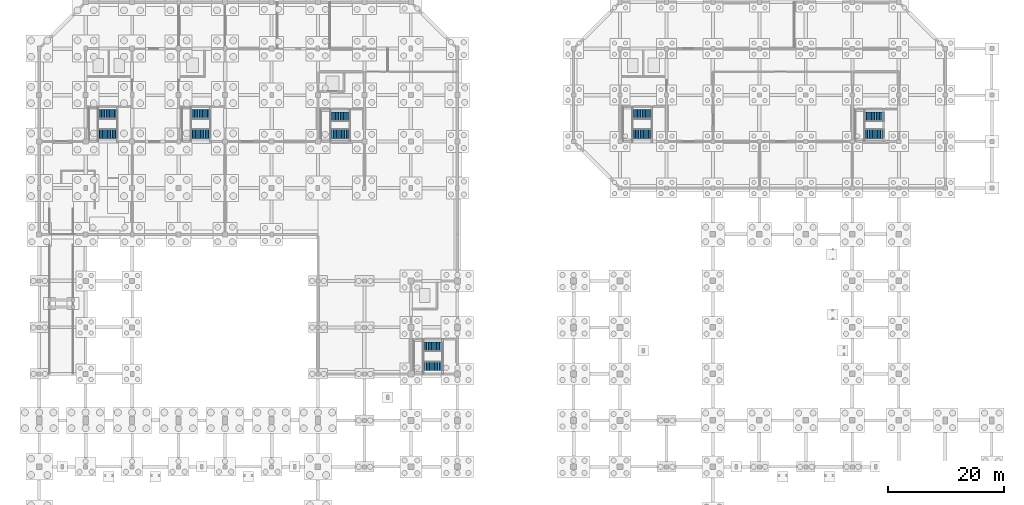
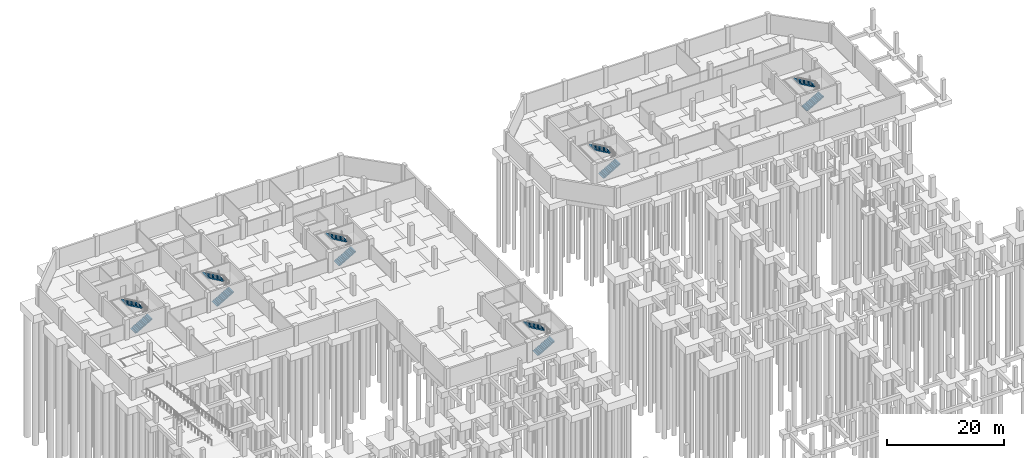
# One storey, part 26 of 32: 12 stair flights, 6 elements without a shape of their own.
"""IFC4 building model written with IfcOpenShell, lengths in metres."""

from ifc_helpers import new_model, si_unit, direction, frame, origin, place, context, subcontext, project, spatial, polyline, outline, extrude, material, type_object, element, aggregate, save


model = new_model("IFC4")

# Units and contexts
model_context = context("Model", 3, precision=1e-05, world=origin(), true_north=direction((0.0, 1.0)))
body_context = subcontext(model_context, "Body", "Model", "MODEL_VIEW")
ifc_project = project(units=[si_unit("LENGTHUNIT", "METRE"), si_unit("AREAUNIT", "SQUARE_METRE"), si_unit("VOLUMEUNIT", "CUBIC_METRE"), si_unit("PLANEANGLEUNIT", "RADIAN"), si_unit("MASSUNIT", "GRAM", prefix="KILO")], contexts=[model_context])

# Site, building, storey
site_placement = place(None, origin())
site = spatial("IfcSite", under=ifc_project, at=site_placement, CompositionType="ELEMENT")
building_placement = place(site_placement, origin())
building = spatial("IfcBuilding", under=site, at=building_placement, Name="Tenunan Teduh Sports Hall", CompositionType="ELEMENT")
storey_placement = place(building_placement, frame((0.0, 0.0, -4.199951171875)))
storey = spatial("IfcBuildingStorey", under=building, at=storey_placement, Name="B1", CompositionType="ELEMENT", Elevation=-4.199951171875)

# Stair, stair flights
ifc_material_1 = material(Name="Precast concrete C40/50", Category="concrete")
stair_type = type_object("IfcStairType", Name="STR-B1-ESC", PredefinedType="HALF_TURN_STAIR", material=ifc_material_1)
stair_1_placement = place(storey_placement, origin())
stair_1 = element("IfcStair", 1, at=stair_1_placement, inside=storey, type_object=stair_type, Name="STR-W1-B1", PredefinedType="HALF_TURN_STAIR")
ifc_material_2 = material(Name="Precast concrete C40/50", Category="concrete")
stair_flight_type = type_object("IfcStairFlightType", Name="SFL-ST-T08", PredefinedType="STRAIGHT", material=ifc_material_2)
stair_flight_1_placement = place(storey_placement, frame((16.080078125, 95.320068359375, 0.0), z_axis=(0.0, 0.0, 1.0), x_axis=(1.0, 0.0, 0.0)))
stair_flight_1 = element("IfcStairFlight", 2, at=stair_flight_1_placement, type_object=stair_flight_type, Name="ST-01 flight 1", NumberOfRisers=13, NumberOfTreads=12, PredefinedType="STRAIGHT", RiserHeight=0.16154, TreadLength=0.28, context=body_context, shape_type="SweptSolid", body=[
    extrude(outline(polyline([(0.0, 0.0), (0.0, 0.16162109375), (0.280029296875, 0.16162109375), (0.280029296875, 0.322998046875), (0.56005859375, 0.322998046875), (0.56005859375, 0.484619140625), (0.840087890625, 0.484619140625), (0.840087890625, 0.646240234375), (1.1201171875, 0.646240234375), (1.1201171875, 0.8076171875), (1.39990234375, 0.8076171875), (1.39990234375, 0.96923828125), (1.679931640625, 0.96923828125), (1.679931640625, 1.130859375), (1.9599609375, 1.130859375), (1.9599609375, 1.292236328125), (2.239990234375, 1.292236328125), (2.239990234375, 1.453857421875), (2.52001953125, 1.453857421875), (2.52001953125, 1.615478515625), (2.800048828125, 1.615478515625), (2.800048828125, 1.77685546875), (3.080078125, 1.77685546875), (3.080078125, 1.9384765625), (3.360107421875, 1.9384765625), (3.360107421875, 2.10009765625), (3.360107421875, 1.730712890625), (0.360107421875, 0.0), (0.0, 0.0)])), frame((0.0, 0.83984375, 0.0), z_axis=(0.0, -1.0, 0.0), x_axis=(1.0, 0.0, 0.0)), (0.0, 0.0, 1.0), 1.679931640625),
])
stair_flight_2_placement = place(storey_placement, frame((19.52001953125, 98.679931640625, 2.099853515625), z_axis=(0.0, 0.0, 1.0), x_axis=(-1.0, 0.0, 0.0)))
stair_flight_2 = element("IfcStairFlight", 3, at=stair_flight_2_placement, type_object=stair_flight_type, Name="ST-01 flight 2", NumberOfRisers=13, NumberOfTreads=12, PredefinedType="STRAIGHT", RiserHeight=0.16154, TreadLength=0.28, context=body_context, shape_type="SweptSolid", body=[
    extrude(outline(polyline([(0.0, 0.0), (0.0, 0.16162109375), (0.280029296875, 0.16162109375), (0.280029296875, 0.322998046875), (0.56005859375, 0.322998046875), (0.56005859375, 0.484619140625), (0.840087890625, 0.484619140625), (0.840087890625, 0.646240234375), (1.1201171875, 0.646240234375), (1.1201171875, 0.8076171875), (1.39990234375, 0.8076171875), (1.39990234375, 0.96923828125), (1.679931640625, 0.96923828125), (1.679931640625, 1.130859375), (1.9599609375, 1.130859375), (1.9599609375, 1.292236328125), (2.239990234375, 1.292236328125), (2.239990234375, 1.453857421875), (2.52001953125, 1.453857421875), (2.52001953125, 1.615478515625), (2.800048828125, 1.615478515625), (2.800048828125, 1.77685546875), (3.080078125, 1.77685546875), (3.080078125, 1.9384765625), (3.360107421875, 1.9384765625), (3.360107421875, 2.10009765625), (3.360107421875, 1.730712890625), (0.360107421875, 0.0), (0.0, 0.0)])), frame((0.0, 0.83984375, 0.0), z_axis=(0.0, -1.0, 0.0), x_axis=(1.0, 0.0, 0.0)), (0.0, 0.0, 1.0), 1.679931640625),
])
aggregate(stair_1, [stair_flight_1, stair_flight_2])

stair_2_placement = place(storey_placement, origin())
stair_2 = element("IfcStair", 4, at=stair_2_placement, inside=storey, type_object=stair_type, Name="STR-W2-B1", PredefinedType="HALF_TURN_STAIR")
stair_flight_3_placement = place(storey_placement, frame((32.080078125, 95.320068359375, 0.0), z_axis=(0.0, 0.0, 1.0), x_axis=(1.0, 0.0, 0.0)))
stair_flight_3 = element("IfcStairFlight", 5, at=stair_flight_3_placement, type_object=stair_flight_type, Name="ST-06 flight 1", NumberOfRisers=13, NumberOfTreads=12, PredefinedType="STRAIGHT", RiserHeight=0.16154, TreadLength=0.28, context=body_context, shape_type="SweptSolid", body=[
    extrude(outline(polyline([(0.0, 0.0), (0.0, 0.16162109375), (0.280029296875, 0.16162109375), (0.280029296875, 0.322998046875), (0.56005859375, 0.322998046875), (0.56005859375, 0.484619140625), (0.840087890625, 0.484619140625), (0.840087890625, 0.646240234375), (1.1201171875, 0.646240234375), (1.1201171875, 0.8076171875), (1.39990234375, 0.8076171875), (1.39990234375, 0.96923828125), (1.679931640625, 0.96923828125), (1.679931640625, 1.130859375), (1.9599609375, 1.130859375), (1.9599609375, 1.292236328125), (2.239990234375, 1.292236328125), (2.239990234375, 1.453857421875), (2.52001953125, 1.453857421875), (2.52001953125, 1.615478515625), (2.800048828125, 1.615478515625), (2.800048828125, 1.77685546875), (3.080078125, 1.77685546875), (3.080078125, 1.9384765625), (3.360107421875, 1.9384765625), (3.360107421875, 2.10009765625), (3.360107421875, 1.730712890625), (0.360107421875, 0.0), (0.0, 0.0)])), frame((0.0, 0.83984375, 0.0), z_axis=(0.0, -1.0, 0.0), x_axis=(1.0, 0.0, 0.0)), (0.0, 0.0, 1.0), 1.679931640625),
])
stair_flight_4_placement = place(storey_placement, frame((35.52001953125, 98.679931640625, 2.099853515625), z_axis=(0.0, 0.0, 1.0), x_axis=(-1.0, 0.0, 0.0)))
stair_flight_4 = element("IfcStairFlight", 6, at=stair_flight_4_placement, type_object=stair_flight_type, Name="ST-06 flight 2", NumberOfRisers=13, NumberOfTreads=12, PredefinedType="STRAIGHT", RiserHeight=0.16154, TreadLength=0.28, context=body_context, shape_type="SweptSolid", body=[
    extrude(outline(polyline([(0.0, 0.0), (0.0, 0.16162109375), (0.280029296875, 0.16162109375), (0.280029296875, 0.322998046875), (0.56005859375, 0.322998046875), (0.56005859375, 0.484619140625), (0.840087890625, 0.484619140625), (0.840087890625, 0.646240234375), (1.1201171875, 0.646240234375), (1.1201171875, 0.8076171875), (1.39990234375, 0.8076171875), (1.39990234375, 0.96923828125), (1.679931640625, 0.96923828125), (1.679931640625, 1.130859375), (1.9599609375, 1.130859375), (1.9599609375, 1.292236328125), (2.239990234375, 1.292236328125), (2.239990234375, 1.453857421875), (2.52001953125, 1.453857421875), (2.52001953125, 1.615478515625), (2.800048828125, 1.615478515625), (2.800048828125, 1.77685546875), (3.080078125, 1.77685546875), (3.080078125, 1.9384765625), (3.360107421875, 1.9384765625), (3.360107421875, 2.10009765625), (3.360107421875, 1.730712890625), (0.360107421875, 0.0), (0.0, 0.0)])), frame((0.0, 0.83984375, 0.0), z_axis=(0.0, -1.0, 0.0), x_axis=(1.0, 0.0, 0.0)), (0.0, 0.0, 1.0), 1.679931640625),
])
aggregate(stair_2, [stair_flight_3, stair_flight_4])

stair_3_placement = place(storey_placement, origin())
stair_3 = element("IfcStair", 7, at=stair_3_placement, inside=storey, type_object=stair_type, Name="STR-W3-B1", PredefinedType="HALF_TURN_STAIR")
stair_flight_5_placement = place(storey_placement, frame((56.080078125, 95.320068359375, 0.0), z_axis=(0.0, 0.0, 1.0), x_axis=(1.0, 0.0, 0.0)))
stair_flight_5 = element("IfcStairFlight", 8, at=stair_flight_5_placement, type_object=stair_flight_type, Name="ST-11 flight 1", NumberOfRisers=13, NumberOfTreads=12, PredefinedType="STRAIGHT", RiserHeight=0.16154, TreadLength=0.28, context=body_context, shape_type="SweptSolid", body=[
    extrude(outline(polyline([(0.0, 0.0), (0.0, 0.16162109375), (0.280029296875, 0.16162109375), (0.280029296875, 0.322998046875), (0.56005859375, 0.322998046875), (0.56005859375, 0.484619140625), (0.840087890625, 0.484619140625), (0.840087890625, 0.646240234375), (1.1201171875, 0.646240234375), (1.1201171875, 0.8076171875), (1.39990234375, 0.8076171875), (1.39990234375, 0.96923828125), (1.679931640625, 0.96923828125), (1.679931640625, 1.130859375), (1.9599609375, 1.130859375), (1.9599609375, 1.292236328125), (2.239990234375, 1.292236328125), (2.239990234375, 1.453857421875), (2.52001953125, 1.453857421875), (2.52001953125, 1.615478515625), (2.800048828125, 1.615478515625), (2.800048828125, 1.77685546875), (3.080078125, 1.77685546875), (3.080078125, 1.9384765625), (3.360107421875, 1.9384765625), (3.360107421875, 2.10009765625), (3.360107421875, 1.730712890625), (0.360107421875, 0.0), (0.0, 0.0)])), frame((0.0, 0.83984375, 0.0), z_axis=(0.0, -1.0, 0.0), x_axis=(1.0, 0.0, 0.0)), (0.0, 0.0, 1.0), 1.679931640625),
])
stair_flight_6_placement = place(storey_placement, frame((59.52001953125, 98.280029296875, 2.099853515625), z_axis=(0.0, 0.0, 1.0), x_axis=(-1.0, 0.0, 0.0)))
stair_flight_6 = element("IfcStairFlight", 9, at=stair_flight_6_placement, type_object=stair_flight_type, Name="ST-11 flight 2", NumberOfRisers=13, NumberOfTreads=12, PredefinedType="STRAIGHT", RiserHeight=0.16154, TreadLength=0.28, context=body_context, shape_type="SweptSolid", body=[
    extrude(outline(polyline([(0.0, 0.0), (0.0, 0.16162109375), (0.280029296875, 0.16162109375), (0.280029296875, 0.322998046875), (0.56005859375, 0.322998046875), (0.56005859375, 0.484619140625), (0.840087890625, 0.484619140625), (0.840087890625, 0.646240234375), (1.1201171875, 0.646240234375), (1.1201171875, 0.8076171875), (1.39990234375, 0.8076171875), (1.39990234375, 0.96923828125), (1.679931640625, 0.96923828125), (1.679931640625, 1.130859375), (1.9599609375, 1.130859375), (1.9599609375, 1.292236328125), (2.239990234375, 1.292236328125), (2.239990234375, 1.453857421875), (2.52001953125, 1.453857421875), (2.52001953125, 1.615478515625), (2.800048828125, 1.615478515625), (2.800048828125, 1.77685546875), (3.080078125, 1.77685546875), (3.080078125, 1.9384765625), (3.360107421875, 1.9384765625), (3.360107421875, 2.10009765625), (3.360107421875, 1.730712890625), (0.360107421875, 0.0), (0.0, 0.0)])), frame((0.0, 0.83984375, 0.0), z_axis=(0.0, -1.0, 0.0), x_axis=(1.0, 0.0, 0.0)), (0.0, 0.0, 1.0), 1.679931640625),
])
aggregate(stair_3, [stair_flight_5, stair_flight_6])

stair_4_placement = place(storey_placement, origin())
stair_4 = element("IfcStair", 10, at=stair_4_placement, inside=storey, type_object=stair_type, Name="STR-E1-B1", PredefinedType="HALF_TURN_STAIR")
stair_flight_7_placement = place(storey_placement, frame((108.080078125, 95.320068359375, 0.0), z_axis=(0.0, 0.0, 1.0), x_axis=(1.0, 0.0, 0.0)))
stair_flight_7 = element("IfcStairFlight", 11, at=stair_flight_7_placement, type_object=stair_flight_type, Name="ST-15 flight 1", NumberOfRisers=13, NumberOfTreads=12, PredefinedType="STRAIGHT", RiserHeight=0.16154, TreadLength=0.28, context=body_context, shape_type="SweptSolid", body=[
    extrude(outline(polyline([(0.0, 0.0), (0.0, 0.16162109375), (0.280029296875, 0.16162109375), (0.280029296875, 0.322998046875), (0.56005859375, 0.322998046875), (0.56005859375, 0.484619140625), (0.840087890625, 0.484619140625), (0.840087890625, 0.646240234375), (1.1201171875, 0.646240234375), (1.1201171875, 0.8076171875), (1.39990234375, 0.8076171875), (1.39990234375, 0.96923828125), (1.679931640625, 0.96923828125), (1.679931640625, 1.130859375), (1.9599609375, 1.130859375), (1.9599609375, 1.292236328125), (2.239990234375, 1.292236328125), (2.239990234375, 1.453857421875), (2.52001953125, 1.453857421875), (2.52001953125, 1.615478515625), (2.800048828125, 1.615478515625), (2.800048828125, 1.77685546875), (3.080078125, 1.77685546875), (3.080078125, 1.9384765625), (3.360107421875, 1.9384765625), (3.360107421875, 2.10009765625), (3.360107421875, 1.730712890625), (0.360107421875, 0.0), (0.0, 0.0)])), frame((0.0, 0.83984375, 0.0), z_axis=(0.0, -1.0, 0.0), x_axis=(1.0, 0.0, 0.0)), (0.0, 0.0, 1.0), 1.679931640625),
])
stair_flight_8_placement = place(storey_placement, frame((111.52001953125, 98.679931640625, 2.099853515625), z_axis=(0.0, 0.0, 1.0), x_axis=(-1.0, 0.0, 0.0)))
stair_flight_8 = element("IfcStairFlight", 12, at=stair_flight_8_placement, type_object=stair_flight_type, Name="ST-15 flight 2", NumberOfRisers=13, NumberOfTreads=12, PredefinedType="STRAIGHT", RiserHeight=0.16154, TreadLength=0.28, context=body_context, shape_type="SweptSolid", body=[
    extrude(outline(polyline([(0.0, 0.0), (0.0, 0.16162109375), (0.280029296875, 0.16162109375), (0.280029296875, 0.322998046875), (0.56005859375, 0.322998046875), (0.56005859375, 0.484619140625), (0.840087890625, 0.484619140625), (0.840087890625, 0.646240234375), (1.1201171875, 0.646240234375), (1.1201171875, 0.8076171875), (1.39990234375, 0.8076171875), (1.39990234375, 0.96923828125), (1.679931640625, 0.96923828125), (1.679931640625, 1.130859375), (1.9599609375, 1.130859375), (1.9599609375, 1.292236328125), (2.239990234375, 1.292236328125), (2.239990234375, 1.453857421875), (2.52001953125, 1.453857421875), (2.52001953125, 1.615478515625), (2.800048828125, 1.615478515625), (2.800048828125, 1.77685546875), (3.080078125, 1.77685546875), (3.080078125, 1.9384765625), (3.360107421875, 1.9384765625), (3.360107421875, 2.10009765625), (3.360107421875, 1.730712890625), (0.360107421875, 0.0), (0.0, 0.0)])), frame((0.0, 0.83984375, 0.0), z_axis=(0.0, -1.0, 0.0), x_axis=(1.0, 0.0, 0.0)), (0.0, 0.0, 1.0), 1.679931640625),
])
aggregate(stair_4, [stair_flight_7, stair_flight_8])

stair_5_placement = place(storey_placement, origin())
stair_5 = element("IfcStair", 13, at=stair_5_placement, inside=storey, type_object=stair_type, Name="STR-E2-B1", PredefinedType="HALF_TURN_STAIR")
stair_flight_9_placement = place(storey_placement, frame((148.080078125, 95.320068359375, 0.0), z_axis=(0.0, 0.0, 1.0), x_axis=(1.0, 0.0, 0.0)))
stair_flight_9 = element("IfcStairFlight", 14, at=stair_flight_9_placement, type_object=stair_flight_type, Name="ST-18 flight 1", NumberOfRisers=13, NumberOfTreads=12, PredefinedType="STRAIGHT", RiserHeight=0.16154, TreadLength=0.28, context=body_context, shape_type="SweptSolid", body=[
    extrude(outline(polyline([(0.0, 0.0), (0.0, 0.16162109375), (0.280029296875, 0.16162109375), (0.280029296875, 0.322998046875), (0.56005859375, 0.322998046875), (0.56005859375, 0.484619140625), (0.840087890625, 0.484619140625), (0.840087890625, 0.646240234375), (1.1201171875, 0.646240234375), (1.1201171875, 0.8076171875), (1.39990234375, 0.8076171875), (1.39990234375, 0.96923828125), (1.679931640625, 0.96923828125), (1.679931640625, 1.130859375), (1.9599609375, 1.130859375), (1.9599609375, 1.292236328125), (2.239990234375, 1.292236328125), (2.239990234375, 1.453857421875), (2.52001953125, 1.453857421875), (2.52001953125, 1.615478515625), (2.800048828125, 1.615478515625), (2.800048828125, 1.77685546875), (3.080078125, 1.77685546875), (3.080078125, 1.9384765625), (3.360107421875, 1.9384765625), (3.360107421875, 2.10009765625), (3.360107421875, 1.730712890625), (0.360107421875, 0.0), (0.0, 0.0)])), frame((0.0, 0.83984375, 0.0), z_axis=(0.0, -1.0, 0.0), x_axis=(1.0, 0.0, 0.0)), (0.0, 0.0, 1.0), 1.679931640625),
])
stair_flight_10_placement = place(storey_placement, frame((151.52001953125, 98.280029296875, 2.099853515625), z_axis=(0.0, 0.0, 1.0), x_axis=(-1.0, 0.0, 0.0)))
stair_flight_10 = element("IfcStairFlight", 15, at=stair_flight_10_placement, type_object=stair_flight_type, Name="ST-18 flight 2", NumberOfRisers=13, NumberOfTreads=12, PredefinedType="STRAIGHT", RiserHeight=0.16154, TreadLength=0.28, context=body_context, shape_type="SweptSolid", body=[
    extrude(outline(polyline([(0.0, 0.0), (0.0, 0.16162109375), (0.280029296875, 0.16162109375), (0.280029296875, 0.322998046875), (0.56005859375, 0.322998046875), (0.56005859375, 0.484619140625), (0.840087890625, 0.484619140625), (0.840087890625, 0.646240234375), (1.1201171875, 0.646240234375), (1.1201171875, 0.8076171875), (1.39990234375, 0.8076171875), (1.39990234375, 0.96923828125), (1.679931640625, 0.96923828125), (1.679931640625, 1.130859375), (1.9599609375, 1.130859375), (1.9599609375, 1.292236328125), (2.239990234375, 1.292236328125), (2.239990234375, 1.453857421875), (2.52001953125, 1.453857421875), (2.52001953125, 1.615478515625), (2.800048828125, 1.615478515625), (2.800048828125, 1.77685546875), (3.080078125, 1.77685546875), (3.080078125, 1.9384765625), (3.360107421875, 1.9384765625), (3.360107421875, 2.10009765625), (3.360107421875, 1.730712890625), (0.360107421875, 0.0), (0.0, 0.0)])), frame((0.0, 0.83984375, 0.0), z_axis=(0.0, -1.0, 0.0), x_axis=(1.0, 0.0, 0.0)), (0.0, 0.0, 1.0), 1.679931640625),
])
aggregate(stair_5, [stair_flight_9, stair_flight_10])

stair_6_placement = place(storey_placement, origin())
stair_6 = element("IfcStair", 16, at=stair_6_placement, inside=storey, type_object=stair_type, Name="STR-C1-B1", PredefinedType="HALF_TURN_STAIR")
stair_flight_11_placement = place(storey_placement, frame((72.080078125, 55.320068359375, 0.0), z_axis=(0.0, 0.0, 1.0), x_axis=(1.0, 0.0, 0.0)))
stair_flight_11 = element("IfcStairFlight", 17, at=stair_flight_11_placement, type_object=stair_flight_type, Name="ST-21 flight 1", NumberOfRisers=13, NumberOfTreads=12, PredefinedType="STRAIGHT", RiserHeight=0.16154, TreadLength=0.28, context=body_context, shape_type="SweptSolid", body=[
    extrude(outline(polyline([(0.0, 0.0), (0.0, 0.16162109375), (0.280029296875, 0.16162109375), (0.280029296875, 0.322998046875), (0.56005859375, 0.322998046875), (0.56005859375, 0.484619140625), (0.840087890625, 0.484619140625), (0.840087890625, 0.646240234375), (1.1201171875, 0.646240234375), (1.1201171875, 0.8076171875), (1.39990234375, 0.8076171875), (1.39990234375, 0.96923828125), (1.679931640625, 0.96923828125), (1.679931640625, 1.130859375), (1.9599609375, 1.130859375), (1.9599609375, 1.292236328125), (2.239990234375, 1.292236328125), (2.239990234375, 1.453857421875), (2.52001953125, 1.453857421875), (2.52001953125, 1.615478515625), (2.800048828125, 1.615478515625), (2.800048828125, 1.77685546875), (3.080078125, 1.77685546875), (3.080078125, 1.9384765625), (3.360107421875, 1.9384765625), (3.360107421875, 2.10009765625), (3.360107421875, 1.730712890625), (0.360107421875, 0.0), (0.0, 0.0)])), frame((0.0, 0.83984375, 0.0), z_axis=(0.0, -1.0, 0.0), x_axis=(1.0, 0.0, 0.0)), (0.0, 0.0, 1.0), 1.679931640625),
])
stair_flight_12_placement = place(storey_placement, frame((75.52001953125, 58.679931640625, 2.099853515625), z_axis=(0.0, 0.0, 1.0), x_axis=(-1.0, 0.0, 0.0)))
stair_flight_12 = element("IfcStairFlight", 18, at=stair_flight_12_placement, type_object=stair_flight_type, Name="ST-21 flight 2", NumberOfRisers=13, NumberOfTreads=12, PredefinedType="STRAIGHT", RiserHeight=0.16154, TreadLength=0.28, context=body_context, shape_type="SweptSolid", body=[
    extrude(outline(polyline([(0.0, 0.0), (0.0, 0.16162109375), (0.280029296875, 0.16162109375), (0.280029296875, 0.322998046875), (0.56005859375, 0.322998046875), (0.56005859375, 0.484619140625), (0.840087890625, 0.484619140625), (0.840087890625, 0.646240234375), (1.1201171875, 0.646240234375), (1.1201171875, 0.8076171875), (1.39990234375, 0.8076171875), (1.39990234375, 0.96923828125), (1.679931640625, 0.96923828125), (1.679931640625, 1.130859375), (1.9599609375, 1.130859375), (1.9599609375, 1.292236328125), (2.239990234375, 1.292236328125), (2.239990234375, 1.453857421875), (2.52001953125, 1.453857421875), (2.52001953125, 1.615478515625), (2.800048828125, 1.615478515625), (2.800048828125, 1.77685546875), (3.080078125, 1.77685546875), (3.080078125, 1.9384765625), (3.360107421875, 1.9384765625), (3.360107421875, 2.10009765625), (3.360107421875, 1.730712890625), (0.360107421875, 0.0), (0.0, 0.0)])), frame((0.0, 0.83984375, 0.0), z_axis=(0.0, -1.0, 0.0), x_axis=(1.0, 0.0, 0.0)), (0.0, 0.0, 1.0), 1.679931640625),
])
aggregate(stair_6, [stair_flight_11, stair_flight_12])

save(model, "model.ifc")
